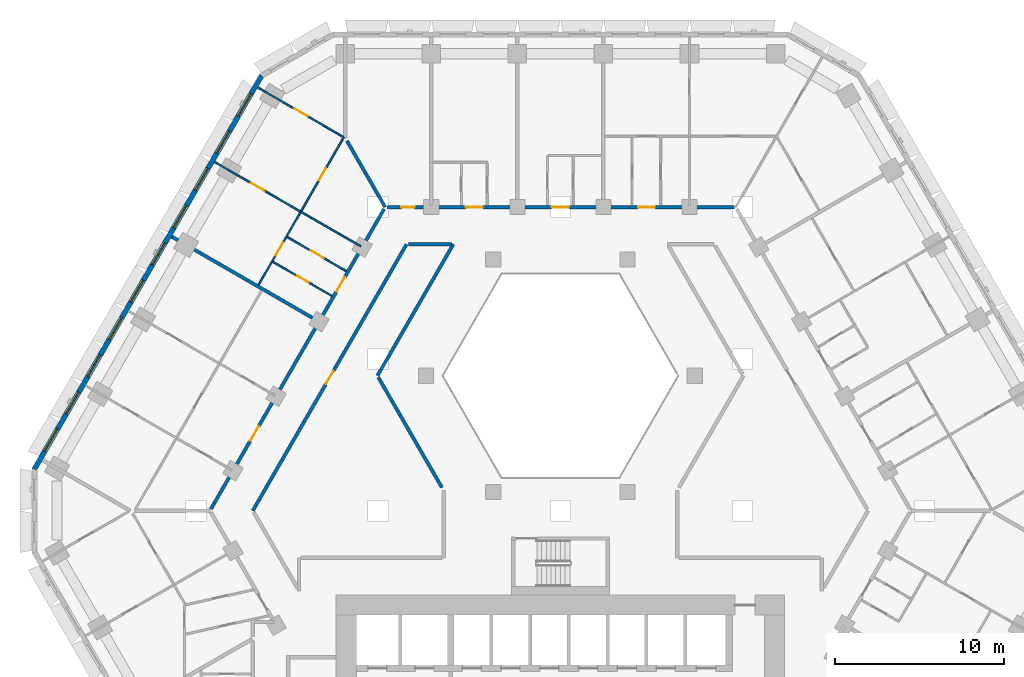
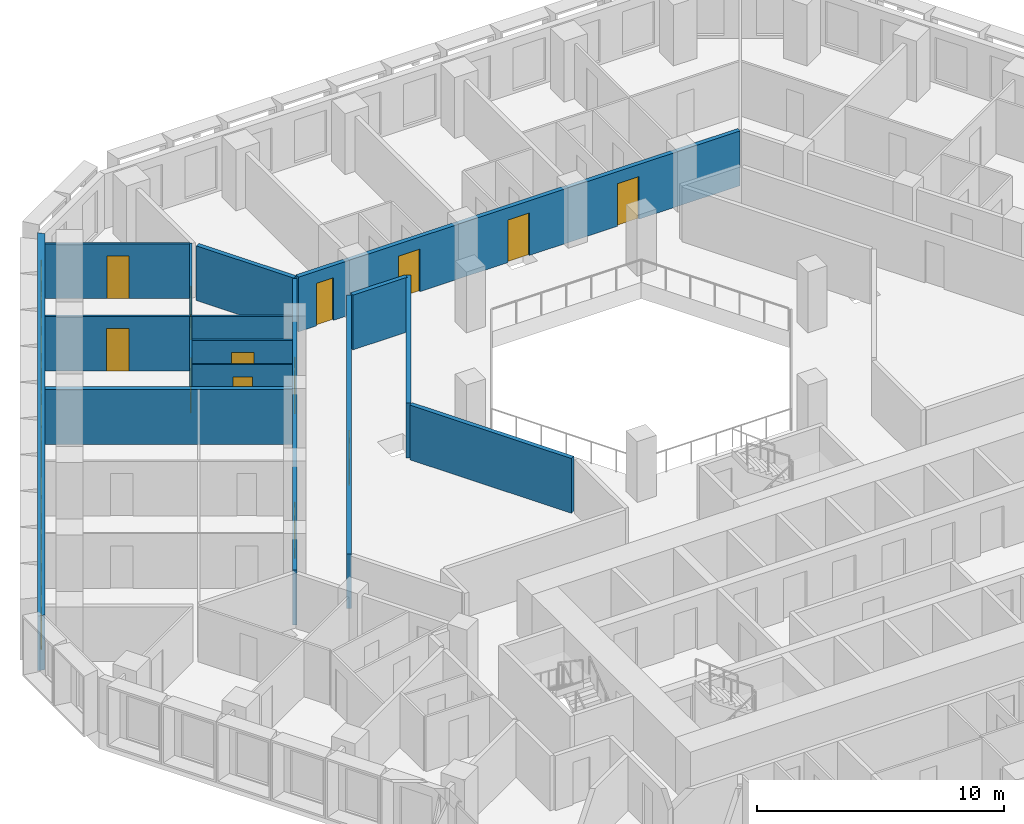
# One storey, part 9 of 21: 15 walls, 13 doors, 10 windows, 23 openings.
"""IFC4 building model written with IfcOpenShell, lengths in metres."""

from ifc_helpers import new_model, si_unit, direction, frame, frame_2d, origin, place, context, subcontext, project, spatial, polyline, rectangle, outline, extrude, material, layer, layer_set, type_object, element, fill, save


model = new_model("IFC4")

# Units and contexts
model_context = context("Model", 3, precision=1e-05, world=origin(), true_north=direction((0.0, 1.0)))
body_context = subcontext(model_context, "Body", "Model", "MODEL_VIEW")
ifc_project = project(units=[si_unit("LENGTHUNIT", "METRE"), si_unit("AREAUNIT", "SQUARE_METRE"), si_unit("VOLUMEUNIT", "CUBIC_METRE"), si_unit("PLANEANGLEUNIT", "RADIAN"), si_unit("MASSUNIT", "GRAM", prefix="KILO")], contexts=[model_context])

# Site, building, storey
site_placement = place(None, origin())
site = spatial("IfcSite", under=ifc_project, at=site_placement, CompositionType="ELEMENT")
building_placement = place(site_placement, origin())
building = spatial("IfcBuilding", under=site, at=building_placement, Name="Beryl Residences", CompositionType="ELEMENT")
storey_placement = place(building_placement, frame((0.0, 0.0, 23.39990234375)))
storey = spatial("IfcBuildingStorey", under=building, at=storey_placement, Name="L06", CompositionType="ELEMENT", Elevation=23.39990234375)

# Wall, openings, windows
ifc_material_1 = material(Name="Composite metal panel with mineral wool insulation")
ifc_layer_1 = layer(ifc_material_1, 0.300048828125)
ifc_layer_set_1 = layer_set([ifc_layer_1], Name="ES1 pale metal composite panel wall 300 mm")
wall_type_1 = type_object("IfcWallType", Name="ES1 pale metal composite panel wall 300 mm", PredefinedType="SOLIDWALL", material=ifc_layer_set_1)
wall_1_placement = place(storey_placement, frame((-17.7099609375, 25.824951171875, 0.0), z_axis=(0.0, 0.0, 1.0), x_axis=(-0.500001938803, -0.866024284413, 0.0)))
wall_1 = element("IfcWall", 1, at=wall_1_placement, inside=storey, type_object=wall_type_1, Name="ES1 external wall L06 NW", PredefinedType="SOLIDWALL", context=body_context, shape_type="SweptSolid", body=[
    extrude(outline(polyline([(0.0, -0.14990234375), (27.02001953125, -0.14990234375), (26.939697265625, 0.14990234375), (0.080322265625, 0.14990234375), (0.0, -0.14990234375)])), origin(), (0.0, 0.0, 1.0), 2.7001953125),
])
opening_1_placement = place(wall_1_placement, frame((1.277099609375, 0.0, 0.14990234375)))
opening_1 = element("IfcOpeningElement", 2, at=opening_1_placement, cuts=wall_1, Name="Opening W1", PredefinedType="OPENING", context=body_context, shape_type="SweptSolid", body=[
    extrude(rectangle(XDim=1.5, YDim=2.10009765625, at=frame_2d((0.75, 1.050048828125))), frame((0.0, 0.159912109375, 0.0), z_axis=(0.0, -1.0, 0.0), x_axis=(1.0, 0.0, 0.0)), (0.0, 0.0, 1.0), 0.320068359375),
])
opening_2_placement = place(wall_1_placement, frame((3.8291015625, 0.0, 0.14990234375)))
opening_2 = element("IfcOpeningElement", 3, at=opening_2_placement, cuts=wall_1, Name="Opening W1", PredefinedType="OPENING", context=body_context, shape_type="SweptSolid", body=[
    extrude(rectangle(XDim=1.5, YDim=2.10009765625, at=frame_2d((0.75, 1.050048828125))), frame((0.0, 0.159912109375, 0.0), z_axis=(0.0, -1.0, 0.0), x_axis=(1.0, 0.0, 0.0)), (0.0, 0.0, 1.0), 0.320068359375),
])
opening_3_placement = place(wall_1_placement, frame((6.382080078125, 0.0, 0.14990234375)))
opening_3 = element("IfcOpeningElement", 4, at=opening_3_placement, cuts=wall_1, Name="Opening W1", PredefinedType="OPENING", context=body_context, shape_type="SweptSolid", body=[
    extrude(rectangle(XDim=1.5, YDim=2.10009765625, at=frame_2d((0.75, 1.050048828125))), frame((0.0, 0.159912109375, 0.0), z_axis=(0.0, -1.0, 0.0), x_axis=(1.0, 0.0, 0.0)), (0.0, 0.0, 1.0), 0.320068359375),
])
opening_4_placement = place(wall_1_placement, frame((8.93310546875, 0.0, 0.14990234375)))
opening_4 = element("IfcOpeningElement", 5, at=opening_4_placement, cuts=wall_1, Name="Opening W1", PredefinedType="OPENING", context=body_context, shape_type="SweptSolid", body=[
    extrude(rectangle(XDim=1.5, YDim=2.10009765625, at=frame_2d((0.75, 1.050048828125))), frame((0.0, 0.159912109375, 0.0), z_axis=(0.0, -1.0, 0.0), x_axis=(1.0, 0.0, 0.0)), (0.0, 0.0, 1.0), 0.320068359375),
])
opening_5_placement = place(wall_1_placement, frame((11.485107421875, 0.0, 0.14990234375)))
opening_5 = element("IfcOpeningElement", 6, at=opening_5_placement, cuts=wall_1, Name="Opening W1", PredefinedType="OPENING", context=body_context, shape_type="SweptSolid", body=[
    extrude(rectangle(XDim=1.5, YDim=2.10009765625, at=frame_2d((0.75, 1.050048828125))), frame((0.0, 0.159912109375, 0.0), z_axis=(0.0, -1.0, 0.0), x_axis=(1.0, 0.0, 0.0)), (0.0, 0.0, 1.0), 0.320068359375),
])
opening_6_placement = place(wall_1_placement, frame((14.037109375, 0.0, 0.14990234375)))
opening_6 = element("IfcOpeningElement", 7, at=opening_6_placement, cuts=wall_1, Name="Opening W1", PredefinedType="OPENING", context=body_context, shape_type="SweptSolid", body=[
    extrude(rectangle(XDim=1.5, YDim=2.10009765625, at=frame_2d((0.75, 1.050048828125))), frame((0.0, 0.159912109375, 0.0), z_axis=(0.0, -1.0, 0.0), x_axis=(1.0, 0.0, 0.0)), (0.0, 0.0, 1.0), 0.320068359375),
])
opening_7_placement = place(wall_1_placement, frame((16.589111328125, 0.0, 0.14990234375)))
opening_7 = element("IfcOpeningElement", 8, at=opening_7_placement, cuts=wall_1, Name="Opening W1", PredefinedType="OPENING", context=body_context, shape_type="SweptSolid", body=[
    extrude(rectangle(XDim=1.5, YDim=2.10009765625, at=frame_2d((0.75, 1.050048828125))), frame((0.0, 0.159912109375, 0.0), z_axis=(0.0, -1.0, 0.0), x_axis=(1.0, 0.0, 0.0)), (0.0, 0.0, 1.0), 0.320068359375),
])
opening_8_placement = place(wall_1_placement, frame((19.14111328125, 0.0, 0.14990234375)))
opening_8 = element("IfcOpeningElement", 9, at=opening_8_placement, cuts=wall_1, Name="Opening W1", PredefinedType="OPENING", context=body_context, shape_type="SweptSolid", body=[
    extrude(rectangle(XDim=1.5, YDim=2.10009765625, at=frame_2d((0.75, 1.050048828125))), frame((0.0, 0.159912109375, 0.0), z_axis=(0.0, -1.0, 0.0), x_axis=(1.0, 0.0, 0.0)), (0.0, 0.0, 1.0), 0.320068359375),
])
opening_9_placement = place(wall_1_placement, frame((21.693115234375, 0.0, 0.14990234375)))
opening_9 = element("IfcOpeningElement", 10, at=opening_9_placement, cuts=wall_1, Name="Opening W1", PredefinedType="OPENING", context=body_context, shape_type="SweptSolid", body=[
    extrude(rectangle(XDim=1.5, YDim=2.10009765625, at=frame_2d((0.75, 1.050048828125))), frame((0.0, 0.159912109375, 0.0), z_axis=(0.0, -1.0, 0.0), x_axis=(1.0, 0.0, 0.0)), (0.0, 0.0, 1.0), 0.320068359375),
])
opening_10_placement = place(wall_1_placement, frame((24.243896484375, 0.0, 0.14990234375)))
opening_10 = element("IfcOpeningElement", 11, at=opening_10_placement, cuts=wall_1, Name="Opening W1", PredefinedType="OPENING", context=body_context, shape_type="SweptSolid", body=[
    extrude(rectangle(XDim=1.5, YDim=2.10009765625, at=frame_2d((0.75, 1.050048828125))), frame((0.0, 0.159912109375, 0.0), z_axis=(0.0, -1.0, 0.0), x_axis=(1.0, 0.0, 0.0)), (0.0, 0.0, 1.0), 0.320068359375),
])
ifc_material_2 = material(Name="Aluminium and clear glass", Category="aluminium")
window_type = type_object("IfcWindowType", Name="W1 cell window 1500 x 2100 mm", PartitioningType="SINGLE_PANEL", PredefinedType="WINDOW", material=ifc_material_2)
window_1_placement = place(opening_1_placement, origin())
window_1 = element("IfcWindow", 12, at=window_1_placement, inside=storey, type_object=window_type, Name="W1 window L06 NW 1", OverallHeight=2.10009765625, OverallWidth=1.5, PartitioningType="SINGLE_PANEL", PredefinedType="WINDOW", context=body_context, shape_type="SweptSolid", body=[
    extrude(rectangle(XDim=1.5, YDim=2.10009765625, at=frame_2d((0.75, 1.050048828125))), frame((0.0, 0.030029296875, 0.0), z_axis=(0.0, -1.0, 0.0), x_axis=(1.0, 0.0, 0.0)), (0.0, 0.0, 1.0), 0.06005859375),
])
fill(opening_1, window_1)
window_2_placement = place(opening_2_placement, origin())
window_2 = element("IfcWindow", 13, at=window_2_placement, inside=storey, type_object=window_type, Name="W1 window L06 NW 2", OverallHeight=2.10009765625, OverallWidth=1.5, PartitioningType="SINGLE_PANEL", PredefinedType="WINDOW", context=body_context, shape_type="SweptSolid", body=[
    extrude(rectangle(XDim=1.5, YDim=2.10009765625, at=frame_2d((0.75, 1.050048828125))), frame((0.0, 0.030029296875, 0.0), z_axis=(0.0, -1.0, 0.0), x_axis=(1.0, 0.0, 0.0)), (0.0, 0.0, 1.0), 0.06005859375),
])
fill(opening_2, window_2)
window_3_placement = place(opening_3_placement, origin())
window_3 = element("IfcWindow", 14, at=window_3_placement, inside=storey, type_object=window_type, Name="W1 window L06 NW 3", OverallHeight=2.10009765625, OverallWidth=1.5, PartitioningType="SINGLE_PANEL", PredefinedType="WINDOW", context=body_context, shape_type="SweptSolid", body=[
    extrude(rectangle(XDim=1.5, YDim=2.10009765625, at=frame_2d((0.75, 1.050048828125))), frame((0.0, 0.030029296875, 0.0), z_axis=(0.0, -1.0, 0.0), x_axis=(1.0, 0.0, 0.0)), (0.0, 0.0, 1.0), 0.06005859375),
])
fill(opening_3, window_3)
window_4_placement = place(opening_4_placement, origin())
window_4 = element("IfcWindow", 15, at=window_4_placement, inside=storey, type_object=window_type, Name="W1 window L06 NW 4", OverallHeight=2.10009765625, OverallWidth=1.5, PartitioningType="SINGLE_PANEL", PredefinedType="WINDOW", context=body_context, shape_type="SweptSolid", body=[
    extrude(rectangle(XDim=1.5, YDim=2.10009765625, at=frame_2d((0.75, 1.050048828125))), frame((0.0, 0.030029296875, 0.0), z_axis=(0.0, -1.0, 0.0), x_axis=(1.0, 0.0, 0.0)), (0.0, 0.0, 1.0), 0.06005859375),
])
fill(opening_4, window_4)
window_5_placement = place(opening_5_placement, origin())
window_5 = element("IfcWindow", 16, at=window_5_placement, inside=storey, type_object=window_type, Name="W1 window L06 NW 5", OverallHeight=2.10009765625, OverallWidth=1.5, PartitioningType="SINGLE_PANEL", PredefinedType="WINDOW", context=body_context, shape_type="SweptSolid", body=[
    extrude(rectangle(XDim=1.5, YDim=2.10009765625, at=frame_2d((0.75, 1.050048828125))), frame((0.0, 0.030029296875, 0.0), z_axis=(0.0, -1.0, 0.0), x_axis=(1.0, 0.0, 0.0)), (0.0, 0.0, 1.0), 0.06005859375),
])
fill(opening_5, window_5)
window_6_placement = place(opening_6_placement, origin())
window_6 = element("IfcWindow", 17, at=window_6_placement, inside=storey, type_object=window_type, Name="W1 window L06 NW 6", OverallHeight=2.10009765625, OverallWidth=1.5, PartitioningType="SINGLE_PANEL", PredefinedType="WINDOW", context=body_context, shape_type="SweptSolid", body=[
    extrude(rectangle(XDim=1.5, YDim=2.10009765625, at=frame_2d((0.75, 1.050048828125))), frame((0.0, 0.030029296875, 0.0), z_axis=(0.0, -1.0, 0.0), x_axis=(1.0, 0.0, 0.0)), (0.0, 0.0, 1.0), 0.06005859375),
])
fill(opening_6, window_6)
window_7_placement = place(opening_7_placement, origin())
window_7 = element("IfcWindow", 18, at=window_7_placement, inside=storey, type_object=window_type, Name="W1 window L06 NW 7", OverallHeight=2.10009765625, OverallWidth=1.5, PartitioningType="SINGLE_PANEL", PredefinedType="WINDOW", context=body_context, shape_type="SweptSolid", body=[
    extrude(rectangle(XDim=1.5, YDim=2.10009765625, at=frame_2d((0.75, 1.050048828125))), frame((0.0, 0.030029296875, 0.0), z_axis=(0.0, -1.0, 0.0), x_axis=(1.0, 0.0, 0.0)), (0.0, 0.0, 1.0), 0.06005859375),
])
fill(opening_7, window_7)
window_8_placement = place(opening_8_placement, origin())
window_8 = element("IfcWindow", 19, at=window_8_placement, inside=storey, type_object=window_type, Name="W1 window L06 NW 8", OverallHeight=2.10009765625, OverallWidth=1.5, PartitioningType="SINGLE_PANEL", PredefinedType="WINDOW", context=body_context, shape_type="SweptSolid", body=[
    extrude(rectangle(XDim=1.5, YDim=2.10009765625, at=frame_2d((0.75, 1.050048828125))), frame((0.0, 0.030029296875, 0.0), z_axis=(0.0, -1.0, 0.0), x_axis=(1.0, 0.0, 0.0)), (0.0, 0.0, 1.0), 0.06005859375),
])
fill(opening_8, window_8)
window_9_placement = place(opening_9_placement, origin())
window_9 = element("IfcWindow", 20, at=window_9_placement, inside=storey, type_object=window_type, Name="W1 window L06 NW 9", OverallHeight=2.10009765625, OverallWidth=1.5, PartitioningType="SINGLE_PANEL", PredefinedType="WINDOW", context=body_context, shape_type="SweptSolid", body=[
    extrude(rectangle(XDim=1.5, YDim=2.10009765625, at=frame_2d((0.75, 1.050048828125))), frame((0.0, 0.030029296875, 0.0), z_axis=(0.0, -1.0, 0.0), x_axis=(1.0, 0.0, 0.0)), (0.0, 0.0, 1.0), 0.06005859375),
])
fill(opening_9, window_9)
window_10_placement = place(opening_10_placement, origin())
window_10 = element("IfcWindow", 21, at=window_10_placement, inside=storey, type_object=window_type, Name="W1 window L06 NW 10", OverallHeight=2.10009765625, OverallWidth=1.5, PartitioningType="SINGLE_PANEL", PredefinedType="WINDOW", context=body_context, shape_type="SweptSolid", body=[
    extrude(rectangle(XDim=1.5, YDim=2.10009765625, at=frame_2d((0.75, 1.050048828125))), frame((0.0, 0.030029296875, 0.0), z_axis=(0.0, -1.0, 0.0), x_axis=(1.0, 0.0, 0.0)), (0.0, 0.0, 1.0), 0.06005859375),
])
fill(opening_10, window_10)

# Wall, opening, door
ifc_material_3 = material(Name="Gypsum board partition on steel studs", Category="steel")
ifc_layer_2 = layer(ifc_material_3, 0.10009765625)
ifc_layer_set_2 = layer_set([ifc_layer_2], Name="PT1 partition 100 mm gypsum board on steel studs")
wall_type_2 = type_object("IfcWallType", Name="PT1 partition 100 mm gypsum board on steel studs", PredefinedType="PARTITIONING", material=ifc_layer_set_2)
wall_2_placement = place(storey_placement, frame((-17.055908203125, 14.758056640625, 0.0), z_axis=(0.0, 0.0, 1.0), x_axis=(0.866035025835, -0.499983333749, 0.0)))
wall_2 = element("IfcWall", 22, at=wall_2_placement, inside=storey, type_object=wall_type_2, Name="Wall PT1 L06 017", PredefinedType="PARTITIONING", context=body_context, shape_type="SweptSolid", body=[
    extrude(rectangle(XDim=4.050537109375, YDim=0.10009765625, at=frame_2d((2.025390625, 0.0))), origin(), (0.0, 0.0, 1.0), 2.7001953125),
])
opening_11_placement = place(wall_2_placement, frame((1.64990234375, 0.0, 0.0)))
opening_11 = element("IfcOpeningElement", 23, at=opening_11_placement, cuts=wall_2, Name="Opening D0157", PredefinedType="OPENING", context=body_context, shape_type="SweptSolid", body=[
    extrude(rectangle(XDim=0.800048828125, YDim=2.10009765625, at=frame_2d((0.39990234375, 1.050048828125))), frame((0.0, 0.06005859375, 0.0), z_axis=(0.0, -1.0, 0.0), x_axis=(1.0, 0.0, 0.0)), (0.0, 0.0, 1.0), 0.1201171875),
])
ifc_material_4 = material(Name="Timber door leaf", Category="wood")
door_type_1 = type_object("IfcDoorType", Name="D3 bathroom door 800 x 2100 mm", OperationType="SINGLE_SWING_LEFT", PredefinedType="DOOR", material=ifc_material_4)
door_1_placement = place(opening_11_placement, origin())
door_1 = element("IfcDoor", 24, at=door_1_placement, inside=storey, type_object=door_type_1, Name="Door D0157 L06 001", OperationType="SINGLE_SWING_LEFT", OverallHeight=2.10009765625, OverallWidth=0.800048828125, PredefinedType="DOOR", context=body_context, shape_type="SweptSolid", body=[
    extrude(rectangle(XDim=0.800048828125, YDim=2.10009765625, at=frame_2d((0.39990234375, 1.050048828125))), frame((0.0, 0.02490234375, 0.0), z_axis=(0.0, -1.0, 0.0), x_axis=(1.0, 0.0, 0.0)), (0.0, 0.0, 1.0), 0.050048828125),
])
fill(opening_11, door_1)

wall_3_placement = place(storey_placement, frame((-16.2060546875, 16.22998046875, 0.0), z_axis=(0.0, 0.0, 1.0), x_axis=(0.866076189179, -0.499912026797, 0.0)))
wall_3 = element("IfcWall", 25, at=wall_3_placement, inside=storey, type_object=wall_type_2, Name="Wall PT1 L06 020", PredefinedType="PARTITIONING", context=body_context, shape_type="SweptSolid", body=[
    extrude(rectangle(XDim=4.050537109375, YDim=0.10009765625, at=frame_2d((2.025390625, 0.0))), origin(), (0.0, 0.0, 1.0), 2.7001953125),
])
opening_12_placement = place(wall_3_placement, frame((1.60009765625, 0.0, 0.0)))
opening_12 = element("IfcOpeningElement", 26, at=opening_12_placement, cuts=wall_3, Name="Opening D0158", PredefinedType="OPENING", context=body_context, shape_type="SweptSolid", body=[
    extrude(rectangle(XDim=0.89990234375, YDim=2.10009765625, at=frame_2d((0.449951171875, 1.050048828125))), frame((0.0, 0.06005859375, 0.0), z_axis=(0.0, -1.0, 0.0), x_axis=(1.0, 0.0, 0.0)), (0.0, 0.0, 1.0), 0.1201171875),
])
ifc_material_5 = material(Name="Timber door leaf", Category="wood")
door_type_2 = type_object("IfcDoorType", Name="D2 room door 900 x 2100 mm", OperationType="SINGLE_SWING_LEFT", PredefinedType="DOOR", material=ifc_material_5)
door_2_placement = place(opening_12_placement, origin())
door_2 = element("IfcDoor", 27, at=door_2_placement, inside=storey, type_object=door_type_2, Name="Door D0158 L06 001", OperationType="SINGLE_SWING_RIGHT", OverallHeight=2.10009765625, OverallWidth=0.89990234375, PredefinedType="DOOR", context=body_context, shape_type="SweptSolid", body=[
    extrude(rectangle(XDim=0.89990234375, YDim=2.10009765625, at=frame_2d((0.449951171875, 1.050048828125))), frame((0.0, 0.02490234375, 0.0), z_axis=(0.0, -1.0, 0.0), x_axis=(1.0, 0.0, 0.0)), (0.0, 0.0, 1.0), 0.050048828125),
])
fill(opening_12, door_2)

wall_4_placement = place(storey_placement, frame((-20.508056640625, 20.678955078125, 0.0), z_axis=(0.0, 0.0, 1.0), x_axis=(0.866052608538, -0.499952877023, 0.0)))
wall_4 = element("IfcWall", 28, at=wall_4_placement, inside=storey, type_object=wall_type_2, Name="Wall PT1 L06 021", PredefinedType="PARTITIONING", context=body_context, shape_type="SweptSolid", body=[
    extrude(rectangle(XDim=5.900390625, YDim=0.10009765625, at=frame_2d((2.9501953125, 0.0))), origin(), (0.0, 0.0, 1.0), 2.7001953125),
])
opening_13_placement = place(wall_4_placement, frame((2.5, 0.0, 0.0)))
opening_13 = element("IfcOpeningElement", 29, at=opening_13_placement, cuts=wall_4, Name="Opening D0160", PredefinedType="OPENING", context=body_context, shape_type="SweptSolid", body=[
    extrude(rectangle(XDim=0.89990234375, YDim=2.10009765625, at=frame_2d((0.449951171875, 1.050048828125))), frame((0.0, 0.06005859375, 0.0), z_axis=(0.0, -1.0, 0.0), x_axis=(1.0, 0.0, 0.0)), (0.0, 0.0, 1.0), 0.1201171875),
])
door_3_placement = place(opening_13_placement, origin())
door_3 = element("IfcDoor", 30, at=door_3_placement, inside=storey, type_object=door_type_2, Name="Door D0160 L06 001", OperationType="SINGLE_SWING_RIGHT", OverallHeight=2.10009765625, OverallWidth=0.89990234375, PredefinedType="DOOR", context=body_context, shape_type="SweptSolid", body=[
    extrude(rectangle(XDim=0.89990234375, YDim=2.10009765625, at=frame_2d((0.449951171875, 1.050048828125))), frame((0.0, 0.02490234375, 0.0), z_axis=(0.0, -1.0, 0.0), x_axis=(1.0, 0.0, 0.0)), (0.0, 0.0, 1.0), 0.050048828125),
])
fill(opening_13, door_3)

wall_5_placement = place(storey_placement, frame((-17.955078125, 25.09912109375, 0.0), z_axis=(0.0, 0.0, 1.0), x_axis=(0.866069217599, -0.499924104568, 0.0)))
wall_5 = element("IfcWall", 31, at=wall_5_placement, inside=storey, type_object=wall_type_2, Name="Wall PT1 L06 023", PredefinedType="PARTITIONING", context=body_context, shape_type="SweptSolid", body=[
    extrude(rectangle(XDim=5.869140625, YDim=0.10009765625, at=frame_2d((2.9345703125, 0.0))), origin(), (0.0, 0.0, 1.0), 2.7001953125),
])
opening_14_placement = place(wall_5_placement, frame((2.510009765625, 0.0, 0.0)))
opening_14 = element("IfcOpeningElement", 32, at=opening_14_placement, cuts=wall_5, Name="Opening D0161", PredefinedType="OPENING", context=body_context, shape_type="SweptSolid", body=[
    extrude(rectangle(XDim=0.89990234375, YDim=2.10009765625, at=frame_2d((0.449951171875, 1.050048828125))), frame((0.0, 0.06005859375, 0.0), z_axis=(0.0, -1.0, 0.0), x_axis=(1.0, 0.0, 0.0)), (0.0, 0.0, 1.0), 0.1201171875),
])
door_4_placement = place(opening_14_placement, origin())
door_4 = element("IfcDoor", 33, at=door_4_placement, inside=storey, type_object=door_type_2, Name="Door D0161 L06 001", OperationType="SINGLE_SWING_LEFT", OverallHeight=2.10009765625, OverallWidth=0.89990234375, PredefinedType="DOOR", context=body_context, shape_type="SweptSolid", body=[
    extrude(rectangle(XDim=0.89990234375, YDim=2.10009765625, at=frame_2d((0.449951171875, 1.050048828125))), frame((0.0, 0.02490234375, 0.0), z_axis=(0.0, -1.0, 0.0), x_axis=(1.0, 0.0, 0.0)), (0.0, 0.0, 1.0), 0.050048828125),
])
fill(opening_14, door_4)

# Wall, openings, doors
wall_6_placement = place(storey_placement, frame((-17.89990234375, 13.39501953125, 0.0), z_axis=(0.0, 0.0, 1.0), x_axis=(0.499949632511, 0.866054481515, 0.0)))
wall_6 = element("IfcWall", 34, at=wall_6_placement, inside=storey, type_object=wall_type_2, Name="Wall PT1 L06 040", PredefinedType="PARTITIONING", context=body_context, shape_type="SweptSolid", body=[
    extrude(rectangle(XDim=10.10888671875, YDim=0.10009765625, at=frame_2d((5.054443359375, 0.0))), origin(), (0.0, 0.0, 1.0), 2.7001953125),
])
opening_15_placement = place(wall_6_placement, frame((2.001953125, 0.0, 0.0)))
opening_15 = element("IfcOpeningElement", 35, at=opening_15_placement, cuts=wall_6, Name="Opening D0159", PredefinedType="OPENING", context=body_context, shape_type="SweptSolid", body=[
    extrude(rectangle(XDim=0.89990234375, YDim=2.10009765625, at=frame_2d((0.449951171875, 1.050048828125))), frame((0.0, 0.06005859375, 0.0), z_axis=(0.0, -1.0, 0.0), x_axis=(1.0, 0.0, 0.0)), (0.0, 0.0, 1.0), 0.1201171875),
])
opening_16_placement = place(wall_6_placement, frame((7.156005859375, 0.0, 0.0)))
opening_16 = element("IfcOpeningElement", 36, at=opening_16_placement, cuts=wall_6, Name="Opening D0162", PredefinedType="OPENING", context=body_context, shape_type="SweptSolid", body=[
    extrude(rectangle(XDim=0.800048828125, YDim=2.10009765625, at=frame_2d((0.39990234375, 1.050048828125))), frame((0.0, 0.06005859375, 0.0), z_axis=(0.0, -1.0, 0.0), x_axis=(1.0, 0.0, 0.0)), (0.0, 0.0, 1.0), 0.1201171875),
])
door_5_placement = place(opening_15_placement, origin())
door_5 = element("IfcDoor", 37, at=door_5_placement, inside=storey, type_object=door_type_2, Name="Door D0159 L06 001", OperationType="SINGLE_SWING_LEFT", OverallHeight=2.10009765625, OverallWidth=0.89990234375, PredefinedType="DOOR", context=body_context, shape_type="SweptSolid", body=[
    extrude(rectangle(XDim=0.89990234375, YDim=2.10009765625, at=frame_2d((0.449951171875, 1.050048828125))), frame((0.0, 0.02490234375, 0.0), z_axis=(0.0, -1.0, 0.0), x_axis=(1.0, 0.0, 0.0)), (0.0, 0.0, 1.0), 0.050048828125),
])
fill(opening_15, door_5)
door_6_placement = place(opening_16_placement, origin())
door_6 = element("IfcDoor", 38, at=door_6_placement, inside=storey, type_object=door_type_1, Name="Door D0162 L06 001", OperationType="SINGLE_SWING_RIGHT", OverallHeight=2.10009765625, OverallWidth=0.800048828125, PredefinedType="DOOR", context=body_context, shape_type="SweptSolid", body=[
    extrude(rectangle(XDim=0.800048828125, YDim=2.10009765625, at=frame_2d((0.39990234375, 1.050048828125))), frame((0.0, 0.02490234375, 0.0), z_axis=(0.0, -1.0, 0.0), x_axis=(1.0, 0.0, 0.0)), (0.0, 0.0, 1.0), 0.050048828125),
])
fill(opening_16, door_6)

# Walls
wall_7_placement = place(storey_placement, frame((-15.39794921875, 17.72900390625, 0.0), z_axis=(0.0, 0.0, 1.0), x_axis=(0.866039832988, -0.499975007054, 0.0)))
element("IfcWall", 39, at=wall_7_placement, inside=storey, type_object=wall_type_2, Name="Wall PT1 L06 075", PredefinedType="PARTITIONING", context=body_context, shape_type="SweptSolid", body=[
    extrude(rectangle(XDim=4.100341796875, YDim=0.10009765625, at=frame_2d((2.05029296875, 0.0))), origin(), (0.0, 0.0, 1.0), 2.7001953125),
])
ifc_material_6 = material(Name="Acoustic double stud gypsum board wall")
ifc_layer_3 = layer(ifc_material_6, 0.199951171875)
ifc_layer_set_3 = layer_set([ifc_layer_3], Name="PT3 party wall 200 mm acoustic double stud")
wall_type_3 = type_object("IfcWallType", Name="PT3 party wall 200 mm acoustic double stud", PredefinedType="PARTITIONING", material=ifc_layer_set_3)
wall_8_placement = place(storey_placement, frame((-12.660888671875, 21.929931640625, 0.0), z_axis=(0.0, 0.0, 1.0), x_axis=(0.499975495332, -0.866039551099, 0.0)))
element("IfcWall", 40, at=wall_8_placement, inside=storey, type_object=wall_type_3, Name="Wall PT3 L06 001", PredefinedType="PARTITIONING", context=body_context, shape_type="SweptSolid", body=[
    extrude(rectangle(XDim=4.537841796875, YDim=0.199951171875, at=frame_2d((2.26904296875, 0.0))), origin(), (0.0, 0.0, 1.0), 2.7001953125),
])
wall_9_placement = place(storey_placement, frame((-23.06005859375, 16.259033203125, 0.0), z_axis=(0.0, 0.0, 1.0), x_axis=(0.866047370643, -0.499961950354, 0.0)))
element("IfcWall", 41, at=wall_9_placement, inside=storey, type_object=wall_type_3, Name="Wall PT3 L06 011", PredefinedType="PARTITIONING", context=body_context, shape_type="SweptSolid", body=[
    extrude(rectangle(XDim=10.000732421875, YDim=0.199951171875, at=frame_2d((5.00048828125, 0.0))), origin(), (0.0, 0.0, 1.0), 2.7001953125),
])
ifc_material_7 = material(Name="Double stud gypsum board wall")
ifc_layer_4 = layer(ifc_material_7, 0.199951171875)
ifc_layer_set_4 = layer_set([ifc_layer_4], Name="PT4 corridor wall 200 mm double stud")
wall_type_4 = type_object("IfcWallType", Name="PT4 corridor wall 200 mm double stud", PredefinedType="PARTITIONING", material=ifc_layer_set_4)
wall_10_placement = place(storey_placement, frame((-10.7958984375, 7.89990234375, 0.0), z_axis=(0.0, 0.0, 1.0), x_axis=(0.499954271211, -0.866051803703, 0.0)))
element("IfcWall", 42, at=wall_10_placement, inside=storey, type_object=wall_type_4, Name="Wall PT4 L06 001", PredefinedType="PARTITIONING", context=body_context, shape_type="SweptSolid", body=[
    extrude(rectangle(XDim=7.536376953125, YDim=0.199951171875, at=frame_2d((3.76806640625, 0.0))), origin(), (0.0, 0.0, 1.0), 2.7001953125),
])
wall_11_placement = place(storey_placement, frame((-9.006103515625, 15.800048828125, 0.0), z_axis=(0.0, 0.0, 1.0), x_axis=(1.0, 0.0, 0.0)))
element("IfcWall", 43, at=wall_11_placement, inside=storey, type_object=wall_type_4, Name="Wall PT4 L06 015", PredefinedType="PARTITIONING", context=body_context, shape_type="SweptSolid", body=[
    extrude(rectangle(XDim=2.5400390625, YDim=0.199951171875, at=frame_2d((1.27001953125, 0.0))), origin(), (0.0, 0.0, 1.0), 2.7001953125),
])

# Wall, openings, doors
wall_12_placement = place(storey_placement, frame((-10.27587890625, 18.0, 0.0), z_axis=(0.0, 0.0, 1.0), x_axis=(1.0, 0.0, 0.0)))
wall_12 = element("IfcWall", 44, at=wall_12_placement, inside=storey, type_object=wall_type_4, Name="Wall PT4 L06 017", PredefinedType="PARTITIONING", context=body_context, shape_type="SweptSolid", body=[
    extrude(rectangle(XDim=20.60986328125, YDim=0.199951171875, at=frame_2d((10.304931640625, 0.0))), origin(), (0.0, 0.0, 1.0), 2.7001953125),
])
opening_17_placement = place(wall_12_placement, frame((14.87890625, 0.0, 0.0)))
opening_17 = element("IfcOpeningElement", 45, at=opening_17_placement, cuts=wall_12, Name="Opening D0141", PredefinedType="OPENING", context=body_context, shape_type="SweptSolid", body=[
    extrude(rectangle(XDim=1.0, YDim=2.10009765625, at=frame_2d((0.5, 1.050048828125))), frame((0.0, 0.10986328125, 0.0), z_axis=(0.0, -1.0, 0.0), x_axis=(1.0, 0.0, 0.0)), (0.0, 0.0, 1.0), 0.219970703125),
])
opening_18_placement = place(wall_12_placement, frame((9.77490234375, 0.0, 0.0)))
opening_18 = element("IfcOpeningElement", 46, at=opening_18_placement, cuts=wall_12, Name="Opening D0149", PredefinedType="OPENING", context=body_context, shape_type="SweptSolid", body=[
    extrude(rectangle(XDim=1.0, YDim=2.10009765625, at=frame_2d((0.5, 1.050048828125))), frame((0.0, 0.10986328125, 0.0), z_axis=(0.0, -1.0, 0.0), x_axis=(1.0, 0.0, 0.0)), (0.0, 0.0, 1.0), 0.219970703125),
])
opening_19_placement = place(wall_12_placement, frame((4.6708984375, 0.0, 0.0)))
opening_19 = element("IfcOpeningElement", 47, at=opening_19_placement, cuts=wall_12, Name="Opening D0152", PredefinedType="OPENING", context=body_context, shape_type="SweptSolid", body=[
    extrude(rectangle(XDim=1.0, YDim=2.10009765625, at=frame_2d((0.5, 1.050048828125))), frame((0.0, 0.10986328125, 0.0), z_axis=(0.0, -1.0, 0.0), x_axis=(1.0, 0.0, 0.0)), (0.0, 0.0, 1.0), 0.219970703125),
])
opening_20_placement = place(wall_12_placement, frame((0.8369140625, 0.0, 0.0)))
opening_20 = element("IfcOpeningElement", 48, at=opening_20_placement, cuts=wall_12, Name="Opening D0155", PredefinedType="OPENING", context=body_context, shape_type="SweptSolid", body=[
    extrude(rectangle(XDim=0.800048828125, YDim=2.10009765625, at=frame_2d((0.39990234375, 1.050048828125))), frame((0.0, 0.10986328125, 0.0), z_axis=(0.0, -1.0, 0.0), x_axis=(1.0, 0.0, 0.0)), (0.0, 0.0, 1.0), 0.219970703125),
])
ifc_material_8 = material(Name="Timber door leaf", Category="wood")
door_type_3 = type_object("IfcDoorType", Name="D1 flat entrance door 1000 x 2100 mm", OperationType="SINGLE_SWING_LEFT", PredefinedType="DOOR", material=ifc_material_8)
door_7_placement = place(opening_17_placement, origin())
door_7 = element("IfcDoor", 49, at=door_7_placement, inside=storey, type_object=door_type_3, Name="Door D0141 L06 001", OperationType="SINGLE_SWING_LEFT", OverallHeight=2.10009765625, OverallWidth=1.0, PredefinedType="DOOR", context=body_context, shape_type="SweptSolid", body=[
    extrude(rectangle(XDim=1.0, YDim=2.10009765625, at=frame_2d((0.5, 1.050048828125))), frame((0.0, 0.02490234375, 0.0), z_axis=(0.0, -1.0, 0.0), x_axis=(1.0, 0.0, 0.0)), (0.0, 0.0, 1.0), 0.050048828125),
])
fill(opening_17, door_7)
door_8_placement = place(opening_18_placement, origin())
door_8 = element("IfcDoor", 50, at=door_8_placement, inside=storey, type_object=door_type_3, Name="Door D0149 L06 001", OperationType="SINGLE_SWING_LEFT", OverallHeight=2.10009765625, OverallWidth=1.0, PredefinedType="DOOR", context=body_context, shape_type="SweptSolid", body=[
    extrude(rectangle(XDim=1.0, YDim=2.10009765625, at=frame_2d((0.5, 1.050048828125))), frame((0.0, 0.02490234375, 0.0), z_axis=(0.0, -1.0, 0.0), x_axis=(1.0, 0.0, 0.0)), (0.0, 0.0, 1.0), 0.050048828125),
])
fill(opening_18, door_8)
door_9_placement = place(opening_19_placement, origin())
door_9 = element("IfcDoor", 51, at=door_9_placement, inside=storey, type_object=door_type_3, Name="Door D0152 L06 001", OperationType="SINGLE_SWING_RIGHT", OverallHeight=2.10009765625, OverallWidth=1.0, PredefinedType="DOOR", context=body_context, shape_type="SweptSolid", body=[
    extrude(rectangle(XDim=1.0, YDim=2.10009765625, at=frame_2d((0.5, 1.050048828125))), frame((0.0, 0.02490234375, 0.0), z_axis=(0.0, -1.0, 0.0), x_axis=(1.0, 0.0, 0.0)), (0.0, 0.0, 1.0), 0.050048828125),
])
fill(opening_19, door_9)
door_10_placement = place(opening_20_placement, origin())
door_10 = element("IfcDoor", 52, at=door_10_placement, inside=storey, type_object=door_type_1, Name="Door D0155 L06 001", OperationType="SINGLE_SWING_LEFT", OverallHeight=2.10009765625, OverallWidth=0.800048828125, PredefinedType="DOOR", context=body_context, shape_type="SweptSolid", body=[
    extrude(rectangle(XDim=0.800048828125, YDim=2.10009765625, at=frame_2d((0.39990234375, 1.050048828125))), frame((0.0, 0.02490234375, 0.0), z_axis=(0.0, -1.0, 0.0), x_axis=(1.0, 0.0, 0.0)), (0.0, 0.0, 1.0), 0.050048828125),
])
fill(opening_20, door_10)

# Wall
wall_13_placement = place(storey_placement, frame((-10.85400390625, 8.0, 0.0), z_axis=(0.0, 0.0, 1.0), x_axis=(0.499964141897, 0.86604610548, 0.0)))
element("IfcWall", 53, at=wall_13_placement, inside=storey, type_object=wall_type_4, Name="Wall PT4 L06 022", PredefinedType="PARTITIONING", context=body_context, shape_type="SweptSolid", body=[
    extrude(rectangle(XDim=9.006591796875, YDim=0.199951171875, at=frame_2d((4.50341796875, 0.0))), origin(), (0.0, 0.0, 1.0), 2.7001953125),
])

# Wall, opening, door
wall_14_placement = place(storey_placement, frame((-18.243896484375, -0.0009765625, 0.0), z_axis=(0.0, 0.0, 1.0), x_axis=(0.499962999376, 0.866046765051, 0.0)))
wall_14 = element("IfcWall", 54, at=wall_14_placement, inside=storey, type_object=wall_type_4, Name="Wall PT4 L06 023", PredefinedType="PARTITIONING", context=body_context, shape_type="SweptSolid", body=[
    extrude(rectangle(XDim=18.2451171875, YDim=0.199951171875, at=frame_2d((9.12255859375, 0.0))), origin(), (0.0, 0.0, 1.0), 2.7001953125),
])
opening_21_placement = place(wall_14_placement, frame((8.672119140625, 0.0, 0.0)))
opening_21 = element("IfcOpeningElement", 55, at=opening_21_placement, cuts=wall_14, Name="Opening D0181", PredefinedType="OPENING", context=body_context, shape_type="SweptSolid", body=[
    extrude(rectangle(XDim=0.89990234375, YDim=2.10009765625, at=frame_2d((0.449951171875, 1.050048828125))), frame((0.0, 0.10986328125, 0.0), z_axis=(0.0, -1.0, 0.0), x_axis=(1.0, 0.0, 0.0)), (0.0, 0.0, 1.0), 0.219970703125),
])
door_11_placement = place(opening_21_placement, origin())
door_11 = element("IfcDoor", 56, at=door_11_placement, inside=storey, type_object=door_type_2, Name="Door D0181 L06 001", OperationType="SINGLE_SWING_LEFT", OverallHeight=2.10009765625, OverallWidth=0.89990234375, PredefinedType="DOOR", context=body_context, shape_type="SweptSolid", body=[
    extrude(rectangle(XDim=0.89990234375, YDim=2.10009765625, at=frame_2d((0.449951171875, 1.050048828125))), frame((0.0, 0.02490234375, 0.0), z_axis=(0.0, -1.0, 0.0), x_axis=(1.0, 0.0, 0.0)), (0.0, 0.0, 1.0), 0.050048828125),
])
fill(opening_21, door_11)

# Wall, openings, doors
wall_15_placement = place(storey_placement, frame((-20.72705078125, 0.09912109375, 0.0), z_axis=(0.0, 0.0, 1.0), x_axis=(0.499993204491, 0.866029327138, 0.0)))
wall_15 = element("IfcWall", 57, at=wall_15_placement, inside=storey, type_object=wall_type_4, Name="Wall PT4 L06 024", PredefinedType="PARTITIONING", context=body_context, shape_type="SweptSolid", body=[
    extrude(rectangle(XDim=20.554443359375, YDim=0.199951171875, at=frame_2d((10.27734375, 0.0))), origin(), (0.0, 0.0, 1.0), 2.7001953125),
])
opening_22_placement = place(wall_15_placement, frame((14.8798828125, 0.0, 0.0)))
opening_22 = element("IfcOpeningElement", 58, at=opening_22_placement, cuts=wall_15, Name="Opening D0156", PredefinedType="OPENING", context=body_context, shape_type="SweptSolid", body=[
    extrude(rectangle(XDim=1.0, YDim=2.10009765625, at=frame_2d((0.5, 1.050048828125))), frame((0.0, 0.10986328125, 0.0), z_axis=(0.0, -1.0, 0.0), x_axis=(1.0, 0.0, 0.0)), (0.0, 0.0, 1.0), 0.219970703125),
])
opening_23_placement = place(wall_15_placement, frame((4.673095703125, 0.0, 0.0)))
opening_23 = element("IfcOpeningElement", 59, at=opening_23_placement, cuts=wall_15, Name="Opening D0163", PredefinedType="OPENING", context=body_context, shape_type="SweptSolid", body=[
    extrude(rectangle(XDim=1.0, YDim=2.10009765625, at=frame_2d((0.5, 1.050048828125))), frame((0.0, 0.10986328125, 0.0), z_axis=(0.0, -1.0, 0.0), x_axis=(1.0, 0.0, 0.0)), (0.0, 0.0, 1.0), 0.219970703125),
])
door_12_placement = place(opening_22_placement, origin())
door_12 = element("IfcDoor", 60, at=door_12_placement, inside=storey, type_object=door_type_3, Name="Door D0156 L06 001", OperationType="SINGLE_SWING_RIGHT", OverallHeight=2.10009765625, OverallWidth=1.0, PredefinedType="DOOR", context=body_context, shape_type="SweptSolid", body=[
    extrude(rectangle(XDim=1.0, YDim=2.10009765625, at=frame_2d((0.5, 1.050048828125))), frame((0.0, 0.02490234375, 0.0), z_axis=(0.0, -1.0, 0.0), x_axis=(1.0, 0.0, 0.0)), (0.0, 0.0, 1.0), 0.050048828125),
])
fill(opening_22, door_12)
door_13_placement = place(opening_23_placement, origin())
door_13 = element("IfcDoor", 61, at=door_13_placement, inside=storey, type_object=door_type_3, Name="Door D0163 L06 001", OperationType="SINGLE_SWING_LEFT", OverallHeight=2.10009765625, OverallWidth=1.0, PredefinedType="DOOR", context=body_context, shape_type="SweptSolid", body=[
    extrude(rectangle(XDim=1.0, YDim=2.10009765625, at=frame_2d((0.5, 1.050048828125))), frame((0.0, 0.02490234375, 0.0), z_axis=(0.0, -1.0, 0.0), x_axis=(1.0, 0.0, 0.0)), (0.0, 0.0, 1.0), 0.050048828125),
])
fill(opening_23, door_13)

save(model, "model.ifc")
